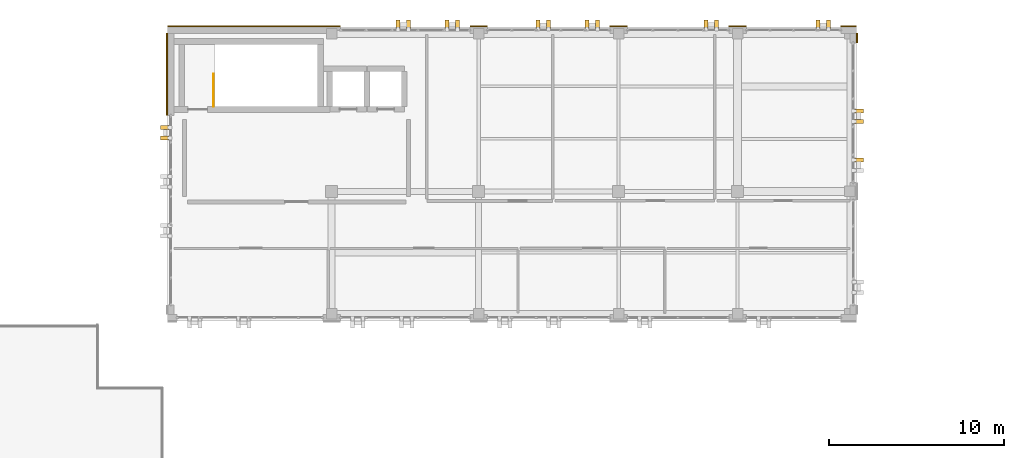
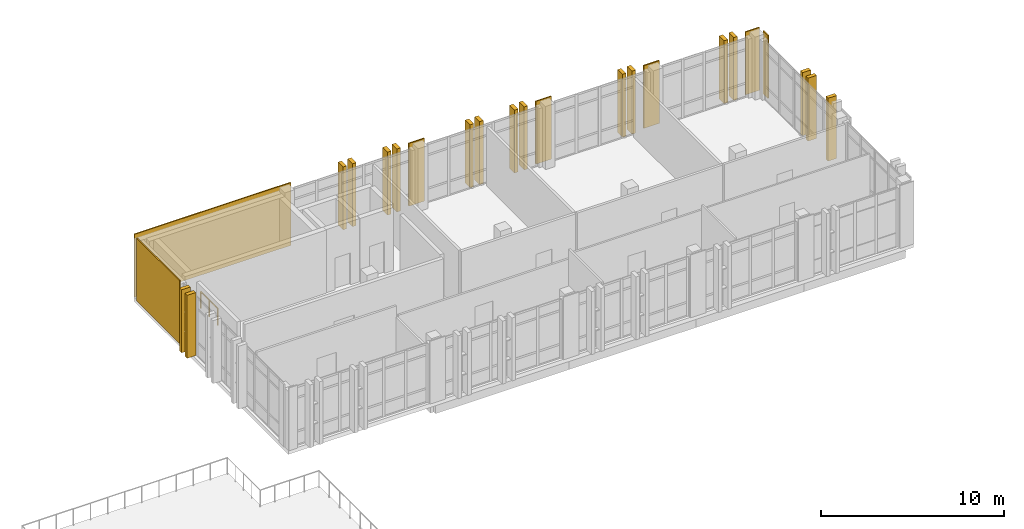
# One storey, part 74 of 77: 24 coverings, 1 railing.
"""IFC4 building model written with IfcOpenShell, lengths in metres."""

from ifc_helpers import new_model, si_unit, direction, frame, origin, origin_2d, place, context, subcontext, project, spatial, rectangle, circle, extrude, material, layer, layer_set, type_object, element, save


model = new_model("IFC4")

# Units and contexts
model_context = context("Model", 3, precision=1e-05, world=origin(), true_north=direction((0.0, 1.0)))
body_context = subcontext(model_context, "Body", "Model", "MODEL_VIEW")
ifc_project = project(units=[si_unit("LENGTHUNIT", "METRE"), si_unit("AREAUNIT", "SQUARE_METRE"), si_unit("VOLUMEUNIT", "CUBIC_METRE"), si_unit("PLANEANGLEUNIT", "RADIAN"), si_unit("MASSUNIT", "GRAM", prefix="KILO")], contexts=[model_context])

# Site, building, storey
site_placement = place(None, origin())
site = spatial("IfcSite", under=ifc_project, at=site_placement, CompositionType="ELEMENT")
building_placement = place(site_placement, origin())
building = spatial("IfcBuilding", under=site, at=building_placement, Name="Qalavern Law Courts", CompositionType="ELEMENT")
storey_placement = place(building_placement, frame((0.0, 0.0, 27.0)))
storey = spatial("IfcBuildingStorey", under=building, at=storey_placement, Name="L06", CompositionType="ELEMENT", Elevation=27.0)

# Coverings
ifc_material_1 = material(Name="Precast concrete C40/50", Category="concrete")
ifc_layer_1 = layer(ifc_material_1, 0.22998046875)
ifc_layer_set_1 = layer_set([ifc_layer_1], Name="Precast concrete C40/50")
covering_type_1 = type_object("IfcCoveringType", Name="ENV-BLD-2", PredefinedType="CLADDING", material=ifc_layer_set_1)
for number, where, z_axis, x_axis, name in (
    (1, (58.52490234375, 105.39990234375, 0.005126953125), (0.0, 0.0, 1.0), (1.0, 0.0, 0.0), "Absheron stone facade blade 1174"),
    (2, (58.52490234375, 107.60009765625, 0.005126953125), (0.0, 0.0, 1.0), (1.0, 0.0, 0.0), "Absheron stone facade blade 1175"),
    (3, (58.52490234375, 108.199951171875, 0.005126953125), (0.0, 0.0, 1.0), (1.0, 0.0, 0.0), "Absheron stone facade blade 1176"),
    (4, (56.800048828125, 113.125, 0.005126953125), (0.0, 0.0, 1.0), (0.0, 1.0, 0.0), "Absheron stone facade blade 1177"),
    (5, (56.199951171875, 113.125, 0.005126953125), (0.0, 0.0, 1.0), (0.0, 1.0, 0.0), "Absheron stone facade blade 1178"),
    (6, (50.39990234375, 113.125, 0.005126953125), (0.0, 0.0, 1.0), (0.0, 1.0, 0.0), "Absheron stone facade blade 1179"),
    (7, (49.800048828125, 113.125, 0.005126953125), (0.0, 0.0, 1.0), (0.0, 1.0, 0.0), "Absheron stone facade blade 1180"),
    (8, (43.60009765625, 113.125, 0.005126953125), (0.0, 0.0, 1.0), (0.0, 1.0, 0.0), "Absheron stone facade blade 1181"),
    (9, (43.0, 113.125, 0.005126953125), (0.0, 0.0, 1.0), (0.0, 1.0, 0.0), "Absheron stone facade blade 1182"),
    (10, (40.800048828125, 113.125, 0.005126953125), (0.0, 0.0, 1.0), (0.0, 1.0, 0.0), "Absheron stone facade blade 1183"),
    (11, (40.199951171875, 113.125, 0.005126953125), (0.0, 0.0, 1.0), (0.0, 1.0, 0.0), "Absheron stone facade blade 1184"),
    (12, (35.60009765625, 113.125, 0.005126953125), (0.0, 0.0, 1.0), (0.0, 1.0, 0.0), "Absheron stone facade blade 1185"),
    (13, (35.0, 113.125, 0.005126953125), (0.0, 0.0, 1.0), (0.0, 1.0, 0.0), "Absheron stone facade blade 1186"),
    (14, (32.800048828125, 113.125, 0.005126953125), (0.0, 0.0, 1.0), (0.0, 1.0, 0.0), "Absheron stone facade blade 1187"),
    (15, (32.199951171875, 113.125, 0.005126953125), (0.0, 0.0, 1.0), (0.0, 1.0, 0.0), "Absheron stone facade blade 1188"),
    (16, (18.89501953125, 107.25, 0.005126953125), (0.0, 0.0, 1.0), (-1.0, 0.0, 0.0), "Absheron stone facade blade 1189"),
    (17, (18.89501953125, 106.64990234375, 0.005126953125), (0.0, 0.0, 1.0), (-1.0, 0.0, 0.0), "Absheron stone facade blade 1190"),
):
    element("IfcCovering", number, at=place(storey_placement, frame(where, z_axis=z_axis, x_axis=x_axis)), inside=storey, type_object=covering_type_1, Name=name, PredefinedType="CLADDING", context=body_context, shape_type="SweptSolid", body=[
        extrude(rectangle(XDim=0.5400390625, YDim=0.22998046875, at=origin_2d()), origin(), (0.0, 0.0, 1.0), 4.18994140625),
    ])
ifc_layer_2 = layer(ifc_material_1, 0.072021484375)
ifc_layer_set_2 = layer_set([ifc_layer_2], Name="Precast concrete C40/50")
covering_type_2 = type_object("IfcCoveringType", Name="ENV-CLD-2", PredefinedType="CLADDING", material=ifc_layer_set_2)
covering_1_placement = place(storey_placement, frame((58.43310546875, 112.360107421875, 0.01025390625), z_axis=(0.0, 0.0, 1.0), x_axis=(0.0, 1.0, 0.0)))
element("IfcCovering", 18, at=covering_1_placement, inside=storey, type_object=covering_type_2, Name="V5 Absheron limestone pier facing L06 east 3", PredefinedType="CLADDING", context=body_context, shape_type="SweptSolid", body=[
    extrude(rectangle(XDim=0.530029296875, YDim=0.072021484375, at=origin_2d()), origin(), (0.0, 0.0, 1.0), 4.179931640625),
])
covering_2_placement = place(storey_placement, frame((57.949951171875, 113.032958984375, 0.01025390625), z_axis=(0.0, 0.0, 1.0), x_axis=(-1.0, 0.0, 0.0)))
element("IfcCovering", 19, at=covering_2_placement, inside=storey, type_object=covering_type_2, Name="V5 Absheron limestone pier facing L06 north 1", PredefinedType="CLADDING", context=body_context, shape_type="SweptSolid", body=[
    extrude(rectangle(XDim=0.8798828125, YDim=0.072021484375, at=origin_2d()), origin(), (0.0, 0.0, 1.0), 4.179931640625),
])
for number, where, z_axis, x_axis, name in (
    (20, (51.60009765625, 113.032958984375, 0.01025390625), (0.0, 0.0, 1.0), (-1.0, 0.0, 0.0), "V5 Absheron limestone pier facing L06 north 2"),
    (21, (44.800048828125, 113.032958984375, 0.01025390625), (0.0, 0.0, 1.0), (-1.0, 0.0, 0.0), "V5 Absheron limestone pier facing L06 north 3"),
    (22, (36.800048828125, 113.032958984375, 0.01025390625), (0.0, 0.0, 1.0), (-1.0, 0.0, 0.0), "V5 Absheron limestone pier facing L06 north 4"),
):
    element("IfcCovering", number, at=place(storey_placement, frame(where, z_axis=z_axis, x_axis=x_axis)), inside=storey, type_object=covering_type_2, Name=name, PredefinedType="CLADDING", context=body_context, shape_type="SweptSolid", body=[
        extrude(rectangle(XDim=0.97998046875, YDim=0.072021484375, at=origin_2d()), origin(), (0.0, 0.0, 1.0), 4.179931640625),
    ])
covering_3_placement = place(storey_placement, frame((23.9599609375, 113.032958984375, 0.01025390625), z_axis=(0.0, 0.0, 1.0), x_axis=(-1.0, 0.0, 0.0)))
element("IfcCovering", 23, at=covering_3_placement, inside=storey, type_object=covering_type_2, Name="V5 Absheron limestone pier facing L06 north 5", PredefinedType="CLADDING", context=body_context, shape_type="SweptSolid", body=[
    extrude(rectangle(XDim=9.860107421875, YDim=0.072021484375, at=origin_2d()), origin(), (0.0, 0.0, 1.0), 4.179931640625),
])
covering_4_placement = place(storey_placement, frame((18.987060546875, 110.29248046875, 0.01025390625), z_axis=(0.0, 0.0, 1.0), x_axis=(0.0, -1.0, 0.0)))
element("IfcCovering", 24, at=covering_4_placement, inside=storey, type_object=covering_type_2, Name="V5 Absheron limestone pier facing L06 west 1", PredefinedType="CLADDING", context=body_context, shape_type="SweptSolid", body=[
    extrude(rectangle(XDim=4.6650390625, YDim=0.072021484375, at=origin_2d()), origin(), (0.0, 0.0, 1.0), 4.179931640625),
])

# Railing
ifc_material_2 = material(Name="Steel S355", Category="steel")
railing_type = type_object("IfcRailingType", Name="INT-GUARD-1120", PredefinedType="BALUSTRADE", material=ifc_material_2)
railing_placement = place(storey_placement, frame((21.64990234375, 108.449951171875, 0.0)))
element("IfcRailing", 25, at=railing_placement, inside=storey, type_object=railing_type, Name="L06 ST-K3 top well guard 1", PredefinedType="BALUSTRADE", context=body_context, shape_type="SweptSolid", body=[
    extrude(circle(Radius=0.02392578125, at=origin_2d()), frame((0.0, 0.0, 1.09619140625), z_axis=(0.0, 1.0, 0.0), x_axis=(-1.0, 0.0, 0.0)), (0.0, 0.0, 1.0), 1.85009765625),
    extrude(circle(Radius=0.02099609375, at=origin_2d()), origin(), (0.0, 0.0, 1.0), 1.072021484375),
    extrude(circle(Radius=0.02099609375, at=origin_2d()), frame((0.0, 0.925048828125, 0.0)), (0.0, 0.0, 1.0), 1.072021484375),
    extrude(circle(Radius=0.02099609375, at=origin_2d()), frame((0.0, 1.85009765625, 0.0)), (0.0, 0.0, 1.0), 1.072021484375),
])

save(model, "model.ifc")
